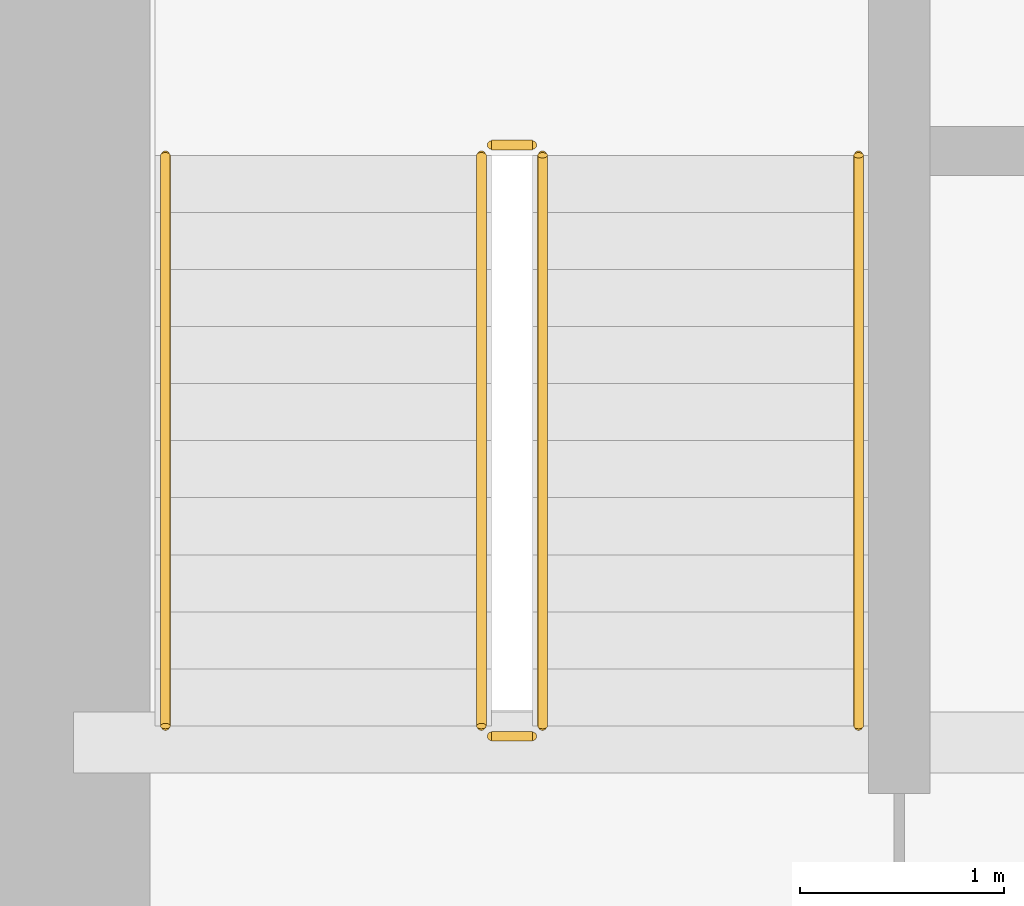
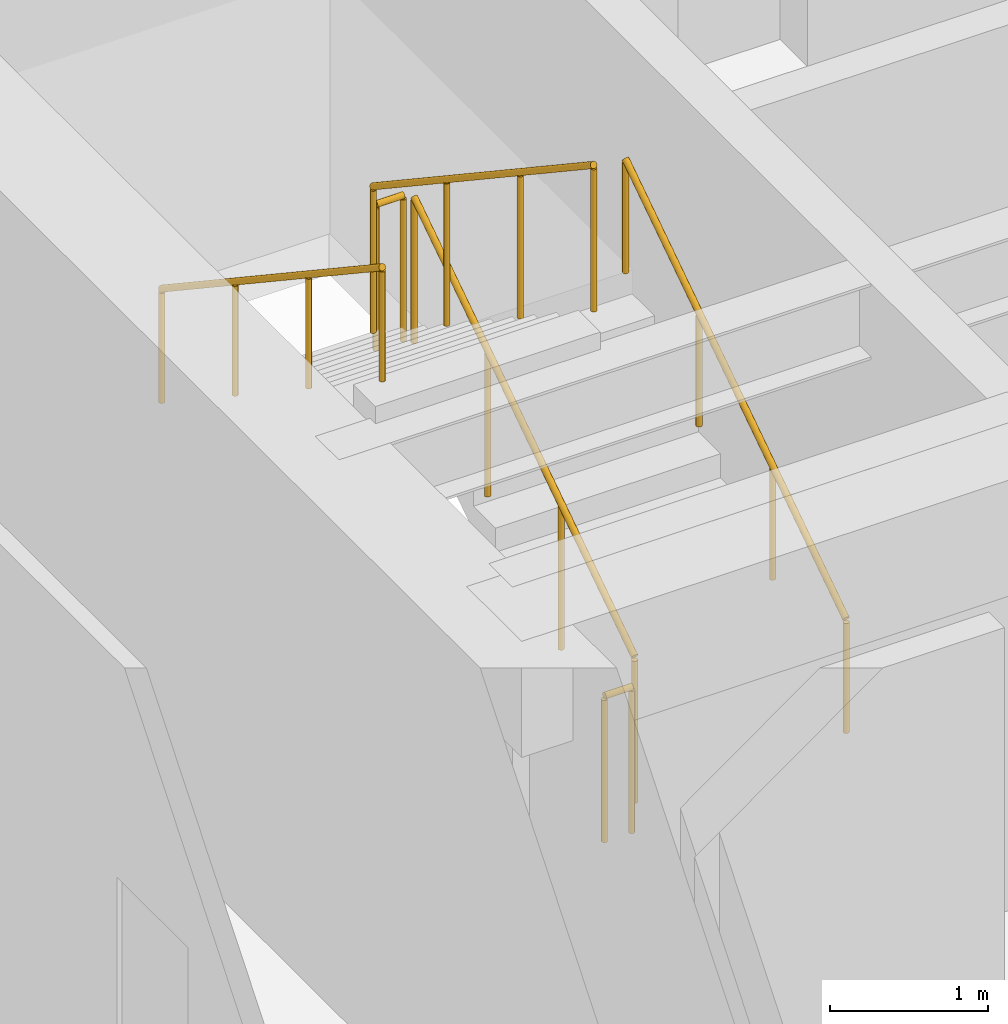
# One storey, part 34 of 35: 6 railings.
"""IFC4 building model written with IfcOpenShell, lengths in metres."""

from ifc_helpers import new_model, si_unit, direction, frame, origin, origin_2d, place, context, subcontext, project, spatial, circle, extrude, source, transform, mapped, material, type_object, type_shapes, element, save


model = new_model("IFC4")

# Units and contexts
model_context = context("Model", 3, precision=1e-05, world=origin(), true_north=direction((0.0, 1.0)))
body_context = subcontext(model_context, "Body", "Model", "MODEL_VIEW")
ifc_project = project(units=[si_unit("LENGTHUNIT", "METRE"), si_unit("AREAUNIT", "SQUARE_METRE"), si_unit("VOLUMEUNIT", "CUBIC_METRE"), si_unit("PLANEANGLEUNIT", "RADIAN"), si_unit("MASSUNIT", "GRAM", prefix="KILO")], contexts=[model_context])

# Site, building, storey
site_placement = place(None, origin())
site = spatial("IfcSite", under=ifc_project, at=site_placement, CompositionType="ELEMENT")
building_placement = place(site_placement, origin())
building = spatial("IfcBuilding", under=site, at=building_placement, Name="Haelvirn Gate Laboratories", CompositionType="ELEMENT")
storey_placement = place(building_placement, frame((0.0, 0.0, 58.0)))
storey = spatial("IfcBuildingStorey", under=building, at=storey_placement, Name="L14", CompositionType="ELEMENT", Elevation=58.0)

# Railings
ifc_material_1 = material(Name="Galvanised steel SM355 & stainless top rail", Category="steel")
railing_type_1 = type_object("IfcRailingType", Name="RL-GUARD-1150", PredefinedType="GUARDRAIL", material=ifc_material_1)
shared_shape_1 = source(origin(), body_context, "Body", "SweptSolid", [
    extrude(circle(Radius=0.02392578125, at=origin_2d()), frame((0.0, 0.0, 1.1259765625), z_axis=(-1.0, 0.0, 0.0), x_axis=(0.0, -1.0, 0.0)), (0.0, 0.0, 1.0), 0.199951171875),
    extrude(circle(Radius=0.02099609375, at=origin_2d()), origin(), (0.0, 0.0, 1.0), 1.101806640625),
    extrude(circle(Radius=0.02099609375, at=origin_2d()), frame((-0.199951171875, 0.0, 0.0)), (0.0, 0.0, 1.0), 1.101806640625),
])
for number, where, name in (
    (1, (9.64990234375, 29.550048828125, 2.050048828125), "L14 ST1 stair guard 2"),
    (2, (9.64990234375, 26.64990234375, 0.0), "L14 ST1 stair guard 4"),
):
    element("IfcRailing", number, at=place(storey_placement, frame(where)), inside=storey, type_object=railing_type_1, Name=name, PredefinedType="GUARDRAIL", context=body_context, shape_type="MappedRepresentation", body=[
        mapped(shared_shape_1, transform((0.0, 0.0, 0.0), scale=1.0)),
    ])
shared_shape_2 = source(origin(), body_context, "Body", "SweptSolid", [
    extrude(circle(Radius=0.02392578125, at=origin_2d()), frame((0.0, 0.0, 1.1259765625), z_axis=(0.0, -0.832452072856, 0.554097055034), x_axis=(1.0, 0.0, 0.0)), (0.0, 0.0, 1.0), 3.363525390625),
    extrude(circle(Radius=0.02099609375, at=origin_2d()), origin(), (0.0, 0.0, 1.0), 1.101806640625),
    extrude(circle(Radius=0.02099609375, at=origin_2d()), frame((0.0, -0.933349609375, 0.621337890625)), (0.0, 0.0, 1.0), 1.101806640625),
    extrude(circle(Radius=0.02099609375, at=origin_2d()), frame((0.0, -1.86669921875, 1.242431640625)), (0.0, 0.0, 1.0), 1.101806640625),
    extrude(circle(Radius=0.02099609375, at=origin_2d()), frame((0.0, -2.800048828125, 1.86376953125)), (0.0, 0.0, 1.0), 1.101806640625),
])
railing_1_placement = place(storey_placement, frame((9.39990234375, 29.5, 2.236328125)))
element("IfcRailing", 3, at=railing_1_placement, inside=storey, type_object=railing_type_1, Name="L14 ST1 stair guard 3", PredefinedType="GUARDRAIL", context=body_context, shape_type="MappedRepresentation", body=[
    mapped(shared_shape_2, transform((0.0, 0.0, 0.0), scale=1.0)),
])
ifc_material_2 = material(Name="Brushed stainless steel 316L", Category="steel")
railing_type_2 = type_object("IfcRailingType", Name="RL-HAND-920", PredefinedType="HANDRAIL", material=ifc_material_2)
shared_shape_3 = source(origin(), body_context, "Body", "SweptSolid", [
    extrude(circle(Radius=0.02392578125, at=origin_2d()), frame((0.0, 0.0, 0.8759765625), z_axis=(0.0, -0.832452072856, 0.554097055034), x_axis=(1.0, 0.0, 0.0)), (0.0, 0.0, 1.0), 3.363525390625),
    extrude(circle(Radius=0.02099609375, at=origin_2d()), origin(), (0.0, 0.0, 1.0), 0.851806640625),
    extrude(circle(Radius=0.02099609375, at=origin_2d()), frame((0.0, -0.933349609375, 0.621337890625)), (0.0, 0.0, 1.0), 0.851806640625),
    extrude(circle(Radius=0.02099609375, at=origin_2d()), frame((0.0, -1.86669921875, 1.242431640625)), (0.0, 0.0, 1.0), 0.851806640625),
    extrude(circle(Radius=0.02099609375, at=origin_2d()), frame((0.0, -2.800048828125, 1.86376953125)), (0.0, 0.0, 1.0), 0.851806640625),
])
railing_2_placement = place(storey_placement, frame((7.85009765625, 29.5, 2.236328125)))
element("IfcRailing", 4, at=railing_2_placement, inside=storey, type_object=railing_type_2, Name="L14 ST1 stair handrail 2", PredefinedType="HANDRAIL", context=body_context, shape_type="MappedRepresentation", body=[
    mapped(shared_shape_3, transform((0.0, 0.0, 0.0), scale=1.0)),
])
shared_shape_4 = source(origin(), body_context, "Body", "SweptSolid", [
    extrude(circle(Radius=0.02392578125, at=origin_2d()), frame((0.0, 0.0, 1.1259765625), z_axis=(0.0, 0.832452072856, 0.554097055034), x_axis=(-1.0, 0.0, 0.0)), (0.0, 0.0, 1.0), 3.363525390625),
    extrude(circle(Radius=0.02099609375, at=origin_2d()), origin(), (0.0, 0.0, 1.0), 1.101806640625),
    extrude(circle(Radius=0.02099609375, at=origin_2d()), frame((0.0, 0.933349609375, 0.621337890625)), (0.0, 0.0, 1.0), 1.101806640625),
    extrude(circle(Radius=0.02099609375, at=origin_2d()), frame((0.0, 1.86669921875, 1.242431640625)), (0.0, 0.0, 1.0), 1.101806640625),
    extrude(circle(Radius=0.02099609375, at=origin_2d()), frame((0.0, 2.800048828125, 1.86376953125)), (0.0, 0.0, 1.0), 1.101806640625),
])
type_shapes(railing_type_1, [shared_shape_1, shared_shape_2, shared_shape_4])
railing_3_placement = place(storey_placement, frame((9.699951171875, 26.699951171875, 0.186279296875)))
element("IfcRailing", 5, at=railing_3_placement, inside=storey, type_object=railing_type_1, Name="L14 ST1 stair guard 1", PredefinedType="GUARDRAIL", context=body_context, shape_type="MappedRepresentation", body=[
    mapped(shared_shape_4, transform((0.0, 0.0, 0.0), scale=1.0)),
])
shared_shape_5 = source(origin(), body_context, "Body", "SweptSolid", [
    extrude(circle(Radius=0.02392578125, at=origin_2d()), frame((0.0, 0.0, 0.8759765625), z_axis=(0.0, 0.832452072856, 0.554097055034), x_axis=(-1.0, 0.0, 0.0)), (0.0, 0.0, 1.0), 3.363525390625),
    extrude(circle(Radius=0.02099609375, at=origin_2d()), origin(), (0.0, 0.0, 1.0), 0.851806640625),
    extrude(circle(Radius=0.02099609375, at=origin_2d()), frame((0.0, 0.933349609375, 0.621337890625)), (0.0, 0.0, 1.0), 0.851806640625),
    extrude(circle(Radius=0.02099609375, at=origin_2d()), frame((0.0, 1.86669921875, 1.242431640625)), (0.0, 0.0, 1.0), 0.851806640625),
    extrude(circle(Radius=0.02099609375, at=origin_2d()), frame((0.0, 2.800048828125, 1.86376953125)), (0.0, 0.0, 1.0), 0.851806640625),
])
type_shapes(railing_type_2, [shared_shape_3, shared_shape_5])
railing_4_placement = place(storey_placement, frame((11.25, 26.699951171875, 0.186279296875)))
element("IfcRailing", 6, at=railing_4_placement, inside=storey, type_object=railing_type_2, Name="L14 ST1 stair handrail 1", PredefinedType="HANDRAIL", context=body_context, shape_type="MappedRepresentation", body=[
    mapped(shared_shape_5, transform((0.0, 0.0, 0.0), scale=1.0)),
])

save(model, "model.ifc")
